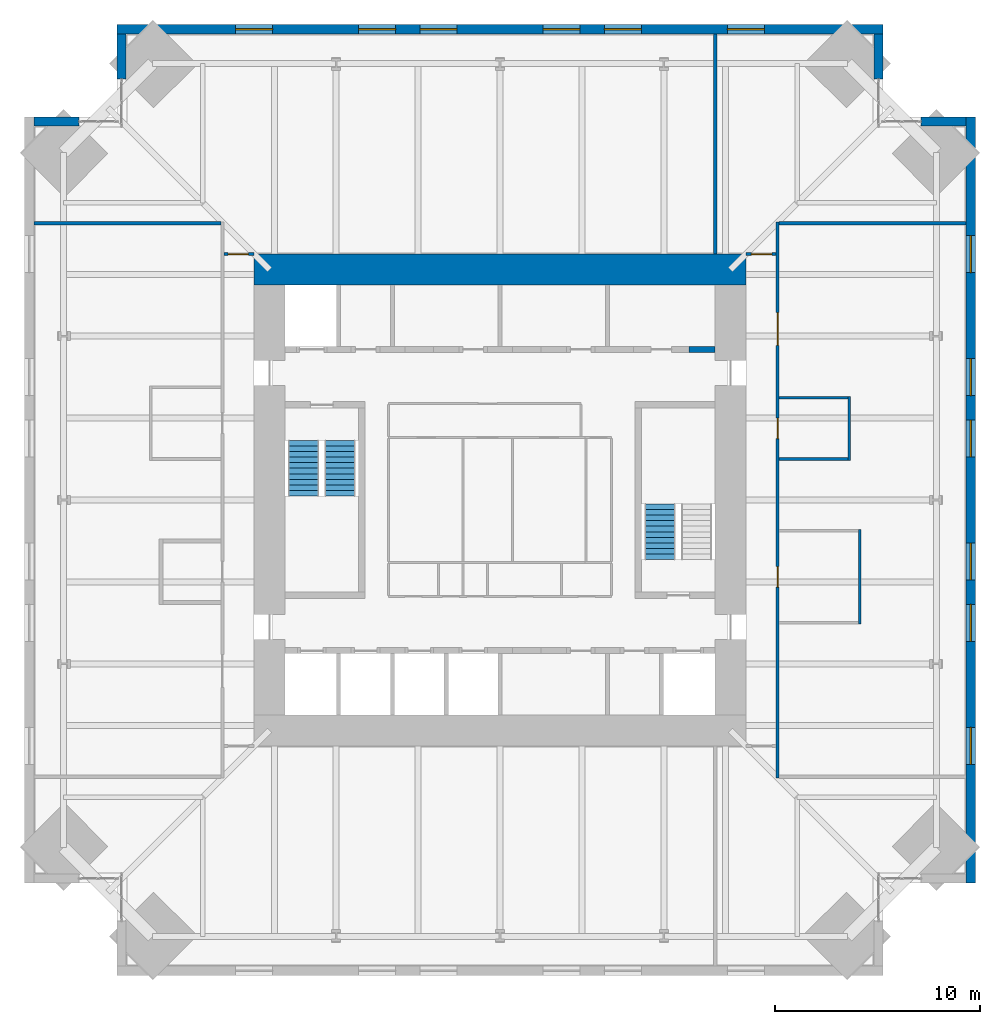
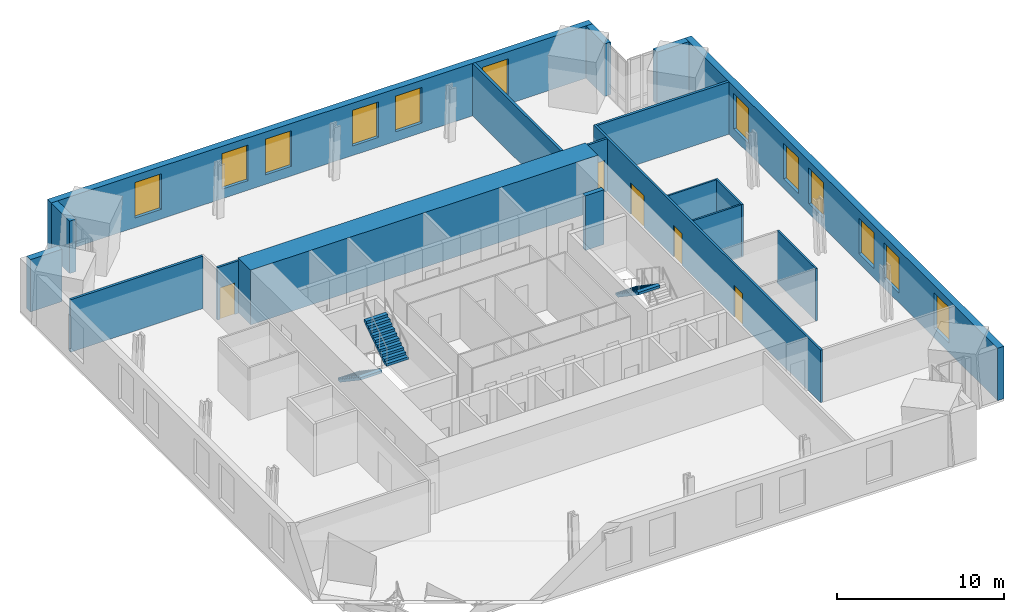
# One storey, part 13 of 15: 18 walls, 12 windows, 5 doors, 3 stair flights, 17 openings, 2 elements without a shape of their own.
"""IFC4 building model written with IfcOpenShell, lengths in metres."""

import ifcopenshell
import ifcopenshell.guid

model = None  # the IFC model being written
_history = None  # IfcOwnerHistory: only IFC2X3 demands one
_inside = {}  # id of a spatial element -> (the spatial element, [elements in it])
_under = {}  # id of a project, library or spatial element -> (it, [spatial elements below it])
_declared = {}  # id of a project -> (the project, [libraries it declares])
_typed = {}  # id of a type object -> (the type object, [elements of that type])
_made_of = {}  # id of a material, layer set ... -> (it, [elements and type objects made of it])


def new_model(schema):
    """Start an empty IFC model of exactly this schema.

    Asked for "IFC4X3", IfcOpenShell would pick the latest addendum, in which some entities
    have other attributes; the version numbers below select the first issue.
    IFC2X3 requires an IfcOwnerHistory on every rooted entity: one is made here for all.
    """
    global model, _history
    if schema == "IFC4X3":
        model = ifcopenshell.file(schema_version=(4, 3, 0, 0))
    else:
        model = ifcopenshell.file(schema=schema)
    _inside.clear()
    _under.clear()
    _declared.clear()
    _typed.clear()
    _made_of.clear()
    _history = None
    if model.schema == "IFC2X3":
        org = make("IfcOrganization", Name="unknown")
        user = make(
            "IfcPersonAndOrganization",
            ThePerson=make("IfcPerson", FamilyName="unknown"),
            TheOrganization=org,
        )
        app = make(
            "IfcApplication",
            ApplicationDeveloper=org,
            Version="unknown",
            ApplicationFullName="unknown",
            ApplicationIdentifier="unknown",
        )
        _history = make(
            "IfcOwnerHistory",
            OwningUser=user,
            OwningApplication=app,
            ChangeAction="ADDED",
            CreationDate=0,
        )
    return model


def make(cls, **values):
    """One entity of the class cls with the attributes given. An attribute that is None is left unset."""
    return model.create_entity(
        cls, **{name: value for name, value in values.items() if value is not None}
    )


def rooted(cls, **values):
    """An entity with a GlobalId (a new one), such as an element, a storey or a relation."""
    return make(cls, GlobalId=ifcopenshell.guid.new(), OwnerHistory=_history, **values)


def si_unit(unit_type, name, prefix=None):
    """IfcSIUnit, for example si_unit("LENGTHUNIT", "METRE", prefix="MILLI")."""
    return make("IfcSIUnit", UnitType=unit_type, Prefix=prefix, Name=name)


def assignment(units):
    """IfcUnitAssignment: the units of a project."""
    return None if units is None else make("IfcUnitAssignment", Units=units)


def point(xyz):
    """IfcCartesianPoint."""
    return None if xyz is None else make("IfcCartesianPoint", Coordinates=xyz)


def direction(xyz):
    """IfcDirection."""
    return None if xyz is None else make("IfcDirection", DirectionRatios=xyz)


def frame(location, z_axis=None, x_axis=None):
    """IfcAxis2Placement3D, a coordinate frame: its origin and axes. An axis left out is left unset."""
    return make(
        "IfcAxis2Placement3D",
        Location=point(location),
        Axis=direction(z_axis),
        RefDirection=direction(x_axis),
    )


def frame_2d(location, x_axis=None):
    """IfcAxis2Placement2D, a coordinate frame in the plane: its origin and x axis."""
    return make(
        "IfcAxis2Placement2D", Location=point(location), RefDirection=direction(x_axis)
    )


def origin():
    """The frame at (0, 0, 0) with its axes left unset."""
    return frame((0.0, 0.0, 0.0))


def place(relative_to, where):
    """IfcLocalPlacement: puts the frame where relative to a parent placement (None: the world)."""
    return make(
        "IfcLocalPlacement", PlacementRelTo=relative_to, RelativePlacement=where
    )


def context(
    kind, dimensions, precision=None, world=None, true_north=None, identifier=None
):
    """IfcGeometricRepresentationContext, for example the 3D "Model" context."""
    return make(
        "IfcGeometricRepresentationContext",
        ContextIdentifier=identifier,
        ContextType=kind,
        CoordinateSpaceDimension=dimensions,
        Precision=precision,
        WorldCoordinateSystem=world,
        TrueNorth=true_north,
    )


def subcontext(parent, identifier, kind, view, scale=None):
    """IfcGeometricRepresentationSubContext, for example "Body" below "Model"."""
    return make(
        "IfcGeometricRepresentationSubContext",
        ContextIdentifier=identifier,
        ContextType=kind,
        ParentContext=parent,
        TargetScale=scale,
        TargetView=view,
    )


def project(units=None, contexts=None):
    """IfcProject with its units and contexts."""
    return rooted(
        "IfcProject",
        Name="project",
        RepresentationContexts=contexts,
        UnitsInContext=assignment(units),
    )


def spatial(cls, under=None, at=None, **own):
    """A site, building, storey or space (cls), placed at a placement, below another one or the project."""
    s = rooted(cls, ObjectPlacement=at, **own)
    if under is not None:
        _under.setdefault(under.id(), (under, []))[1].append(s)
    return s


def polyline(points):
    """IfcPolyline through the points."""
    return make("IfcPolyline", Points=[point(p) for p in points])


def profile(cls, at=None, kind="AREA", **sizes):
    """A parametric profile (cls). Its sizes go by their IFC names, for example OverallWidth=200.0."""
    return make(cls, ProfileType=kind, Position=at, **sizes)


def rectangle(**sizes):
    """IfcRectangleProfileDef."""
    return profile("IfcRectangleProfileDef", **sizes)


def outline(outer, holes=None, kind="AREA"):
    """IfcArbitraryClosedProfileDef: a profile drawn as a closed curve; with holes, ...WithVoids."""
    if holes is None:
        return make("IfcArbitraryClosedProfileDef", ProfileType=kind, OuterCurve=outer)
    return make(
        "IfcArbitraryProfileDefWithVoids",
        ProfileType=kind,
        OuterCurve=outer,
        InnerCurves=holes,
    )


def extrude(swept, where, along, depth):
    """IfcExtrudedAreaSolid: the profile swept, set in the frame where, extruded along a direction by depth."""
    return make(
        "IfcExtrudedAreaSolid",
        SweptArea=swept,
        Position=where,
        ExtrudedDirection=direction(along),
        Depth=depth,
    )


def shape(context_of_items, identifier, shape_type, items):
    """IfcShapeRepresentation: the items that make up one representation, for example the "Body"."""
    return make(
        "IfcShapeRepresentation",
        ContextOfItems=context_of_items,
        RepresentationIdentifier=identifier,
        RepresentationType=shape_type,
        Items=items,
    )


def material(Name=None, Category=None):
    """IfcMaterial."""
    return make("IfcMaterial", Name=Name, Category=Category)


def layer(
    of_material, thickness, ventilated=None, Name=None, Category=None, Priority=None
):
    """IfcMaterialLayer: one layer of a wall or slab, of a material (None: an air gap)."""
    return make(
        "IfcMaterialLayer",
        Material=of_material,
        LayerThickness=thickness,
        IsVentilated=ventilated,
        Name=Name,
        Category=Category,
        Priority=Priority,
    )


def layer_set(layers, Name=None):
    """IfcMaterialLayerSet."""
    return make("IfcMaterialLayerSet", MaterialLayers=layers, LayerSetName=Name)


def made_of(thing, what):
    """Note that an element or type object is made of a material, layer set ...; save() writes the relation."""
    if what is not None:
        _made_of.setdefault(what.id(), (what, []))[1].append(thing)
    return thing


def type_object(cls, material=None, **own):
    """A type object (cls), such as IfcWallType, which elements share."""
    return made_of(rooted(cls, **own), material)


def element(
    cls,
    number,
    at=None,
    inside=None,
    cuts=None,
    type_object=None,
    material=None,
    context=None,
    identifier="Body",
    shape_type=None,
    held_by="IfcProductDefinitionShape",
    body=None,
    shapes=None,
    **own,
):
    """One element of the class cls, such as IfcWall. Its Tag is "e" and its number.

    at: its placement. inside: the storey or other place that contains it. cuts: it is an
    opening in that element (IfcRelVoidsElement). A single representation is given by context,
    identifier, shape_type and body (its items); several are given by shapes. held_by: the class
    of the entity that holds the representations. save() writes the other relations.
    """
    e = rooted(cls, Tag="e%d" % number, ObjectPlacement=at, **own)
    if body is not None:
        shapes = [shape(context, identifier, shape_type, body)]
    if shapes is not None:
        e.Representation = make(held_by, Representations=shapes)
    if inside is not None:
        _inside.setdefault(inside.id(), (inside, []))[1].append(e)
    if cuts is not None:
        rooted(
            "IfcRelVoidsElement", RelatingBuildingElement=cuts, RelatedOpeningElement=e
        )
    if type_object is not None:
        _typed.setdefault(type_object.id(), (type_object, []))[1].append(e)
    return made_of(e, material)


def fill(opening, filler):
    """IfcRelFillsElement: the door or window that sits in an opening."""
    return rooted(
        "IfcRelFillsElement",
        RelatingOpeningElement=opening,
        RelatedBuildingElement=filler,
    )


def aggregate(whole, parts):
    """IfcRelAggregates: a whole, such as a stair, and the parts it consists of."""
    return rooted("IfcRelAggregates", RelatingObject=whole, RelatedObjects=parts)


def save(model, path):
    """Write the relations noted so far, then the file.

    IfcRelAggregates (storeys below a building ...), IfcRelContainedInSpatialStructure (elements
    in a storey), IfcRelDefinesByType, IfcRelAssociatesMaterial and IfcRelDeclares: one each for
    every whole, place, type object, material and project.
    """
    for whole, parts in _under.values():
        aggregate(whole, parts)
    for where, things in _inside.values():
        rooted(
            "IfcRelContainedInSpatialStructure",
            RelatedElements=things,
            RelatingStructure=where,
        )
    for kind, things in _typed.values():
        rooted("IfcRelDefinesByType", RelatedObjects=things, RelatingType=kind)
    for what, things in _made_of.values():
        rooted("IfcRelAssociatesMaterial", RelatedObjects=things, RelatingMaterial=what)
    for by, libraries in _declared.values():
        rooted("IfcRelDeclares", RelatingContext=by, RelatedDefinitions=libraries)
    model.write(path)


model = new_model("IFC4")

# Units and contexts
model_context = context("Model", 3, precision=1e-05, world=origin(), true_north=direction((0.0, 1.0)))
body_context = subcontext(model_context, "Body", "Model", "MODEL_VIEW")
ifc_project = project(units=[si_unit("LENGTHUNIT", "METRE"), si_unit("AREAUNIT", "SQUARE_METRE"), si_unit("VOLUMEUNIT", "CUBIC_METRE"), si_unit("PLANEANGLEUNIT", "RADIAN"), si_unit("MASSUNIT", "GRAM", prefix="KILO")], contexts=[model_context])

# Site, building, storey
site_placement = place(None, origin())
site = spatial("IfcSite", under=ifc_project, at=site_placement, CompositionType="ELEMENT")
building_placement = place(site_placement, origin())
building = spatial("IfcBuilding", under=site, at=building_placement, Name="Peilmerk Tower", CompositionType="ELEMENT")
storey_placement = place(building_placement, frame((0.0, 0.0, 237.800048828125)))
storey = spatial("IfcBuildingStorey", under=building, at=storey_placement, Name="L52", CompositionType="ELEMENT", Elevation=237.800048828125)

# Wall, openings, windows
ifc_material_1 = material(Name="Precast concrete C45/55, board-marked finish", Category="concrete")
ifc_layer_1 = layer(ifc_material_1, 0.449951171875)
ifc_layer_set_1 = layer_set([ifc_layer_1], Name="Precast concrete C45/55, board-marked finish")
wall_type_1 = type_object("IfcWallType", Name="EW1 450 precast concrete facade wall, board-marked", PredefinedType="SOLIDWALL", material=ifc_layer_set_1)
wall_1_placement = place(storey_placement, frame((18.699951171875, 22.97509765625, 0.0), z_axis=(0.0, 0.0, 1.0), x_axis=(-1.0, 0.0, 0.0)))
wall_1 = element("IfcWall", 1, at=wall_1_placement, inside=storey, type_object=wall_type_1, Name="Facade wall N L52", PredefinedType="SOLIDWALL", context=body_context, shape_type="SweptSolid", body=[
    extrude(rectangle(XDim=37.39990234375, YDim=0.449951171875, at=frame_2d((18.699951171875, 0.0))), origin(), (0.0, 0.0, 1.0), 3.829833984375),
])
opening_1_placement = place(wall_1_placement, frame((5.800048828125, 0.0, 0.699951171875)))
opening_1 = element("IfcOpeningElement", 2, at=opening_1_placement, cuts=wall_1, Name="Opening W1", PredefinedType="OPENING", context=body_context, shape_type="SweptSolid", body=[
    extrude(rectangle(XDim=1.800048828125, YDim=2.60009765625, at=frame_2d((0.89990234375, 1.300048828125))), frame((0.0, 0.23486328125, 0.0), z_axis=(0.0, -1.0, 0.0), x_axis=(1.0, 0.0, 0.0)), (0.0, 0.0, 1.0), 0.469970703125),
])
opening_2_placement = place(wall_1_placement, frame((11.800048828125, 0.0, 0.699951171875)))
opening_2 = element("IfcOpeningElement", 3, at=opening_2_placement, cuts=wall_1, Name="Opening W1", PredefinedType="OPENING", context=body_context, shape_type="SweptSolid", body=[
    extrude(rectangle(XDim=1.800048828125, YDim=2.60009765625, at=frame_2d((0.89990234375, 1.300048828125))), frame((0.0, 0.23486328125, 0.0), z_axis=(0.0, -1.0, 0.0), x_axis=(1.0, 0.0, 0.0)), (0.0, 0.0, 1.0), 0.469970703125),
])
opening_3_placement = place(wall_1_placement, frame((14.800048828125, 0.0, 0.699951171875)))
opening_3 = element("IfcOpeningElement", 4, at=opening_3_placement, cuts=wall_1, Name="Opening W1", PredefinedType="OPENING", context=body_context, shape_type="SweptSolid", body=[
    extrude(rectangle(XDim=1.800048828125, YDim=2.60009765625, at=frame_2d((0.89990234375, 1.300048828125))), frame((0.0, 0.23486328125, 0.0), z_axis=(0.0, -1.0, 0.0), x_axis=(1.0, 0.0, 0.0)), (0.0, 0.0, 1.0), 0.469970703125),
])
opening_4_placement = place(wall_1_placement, frame((20.800048828125, 0.0, 0.699951171875)))
opening_4 = element("IfcOpeningElement", 5, at=opening_4_placement, cuts=wall_1, Name="Opening W1", PredefinedType="OPENING", context=body_context, shape_type="SweptSolid", body=[
    extrude(rectangle(XDim=1.800048828125, YDim=2.60009765625, at=frame_2d((0.89990234375, 1.300048828125))), frame((0.0, 0.23486328125, 0.0), z_axis=(0.0, -1.0, 0.0), x_axis=(1.0, 0.0, 0.0)), (0.0, 0.0, 1.0), 0.469970703125),
])
opening_5_placement = place(wall_1_placement, frame((23.800048828125, 0.0, 0.699951171875)))
opening_5 = element("IfcOpeningElement", 6, at=opening_5_placement, cuts=wall_1, Name="Opening W1", PredefinedType="OPENING", context=body_context, shape_type="SweptSolid", body=[
    extrude(rectangle(XDim=1.800048828125, YDim=2.60009765625, at=frame_2d((0.89990234375, 1.300048828125))), frame((0.0, 0.23486328125, 0.0), z_axis=(0.0, -1.0, 0.0), x_axis=(1.0, 0.0, 0.0)), (0.0, 0.0, 1.0), 0.469970703125),
])
opening_6_placement = place(wall_1_placement, frame((29.800048828125, 0.0, 0.699951171875)))
opening_6 = element("IfcOpeningElement", 7, at=opening_6_placement, cuts=wall_1, Name="Opening W1", PredefinedType="OPENING", context=body_context, shape_type="SweptSolid", body=[
    extrude(rectangle(XDim=1.800048828125, YDim=2.60009765625, at=frame_2d((0.89990234375, 1.300048828125))), frame((0.0, 0.23486328125, 0.0), z_axis=(0.0, -1.0, 0.0), x_axis=(1.0, 0.0, 0.0)), (0.0, 0.0, 1.0), 0.469970703125),
])
ifc_material_2 = material(Name="Aluminium frame, clear double glazing", Category="aluminium")
window_type = type_object("IfcWindowType", Name="W1 1800x2600 office window", PartitioningType="SINGLE_PANEL", PredefinedType="WINDOW", material=ifc_material_2)
window_1_placement = place(opening_1_placement, origin())
window_1 = element("IfcWindow", 8, at=window_1_placement, inside=storey, type_object=window_type, Name="Window W1 L52", OverallHeight=2.60009765625, OverallWidth=1.800048828125, PartitioningType="SINGLE_PANEL", PredefinedType="WINDOW", context=body_context, shape_type="SweptSolid", body=[
    extrude(rectangle(XDim=1.800048828125, YDim=2.60009765625, at=frame_2d((0.89990234375, 1.300048828125))), frame((0.0, 0.030029296875, 0.0), z_axis=(0.0, -1.0, 0.0), x_axis=(1.0, 0.0, 0.0)), (0.0, 0.0, 1.0), 0.06005859375),
])
fill(opening_1, window_1)
window_2_placement = place(opening_2_placement, origin())
window_2 = element("IfcWindow", 9, at=window_2_placement, inside=storey, type_object=window_type, Name="Window W1 L52", OverallHeight=2.60009765625, OverallWidth=1.800048828125, PartitioningType="SINGLE_PANEL", PredefinedType="WINDOW", context=body_context, shape_type="SweptSolid", body=[
    extrude(rectangle(XDim=1.800048828125, YDim=2.60009765625, at=frame_2d((0.89990234375, 1.300048828125))), frame((0.0, 0.030029296875, 0.0), z_axis=(0.0, -1.0, 0.0), x_axis=(1.0, 0.0, 0.0)), (0.0, 0.0, 1.0), 0.06005859375),
])
fill(opening_2, window_2)
window_3_placement = place(opening_3_placement, origin())
window_3 = element("IfcWindow", 10, at=window_3_placement, inside=storey, type_object=window_type, Name="Window W1 L52", OverallHeight=2.60009765625, OverallWidth=1.800048828125, PartitioningType="SINGLE_PANEL", PredefinedType="WINDOW", context=body_context, shape_type="SweptSolid", body=[
    extrude(rectangle(XDim=1.800048828125, YDim=2.60009765625, at=frame_2d((0.89990234375, 1.300048828125))), frame((0.0, 0.030029296875, 0.0), z_axis=(0.0, -1.0, 0.0), x_axis=(1.0, 0.0, 0.0)), (0.0, 0.0, 1.0), 0.06005859375),
])
fill(opening_3, window_3)
window_4_placement = place(opening_4_placement, origin())
window_4 = element("IfcWindow", 11, at=window_4_placement, inside=storey, type_object=window_type, Name="Window W1 L52", OverallHeight=2.60009765625, OverallWidth=1.800048828125, PartitioningType="SINGLE_PANEL", PredefinedType="WINDOW", context=body_context, shape_type="SweptSolid", body=[
    extrude(rectangle(XDim=1.800048828125, YDim=2.60009765625, at=frame_2d((0.89990234375, 1.300048828125))), frame((0.0, 0.030029296875, 0.0), z_axis=(0.0, -1.0, 0.0), x_axis=(1.0, 0.0, 0.0)), (0.0, 0.0, 1.0), 0.06005859375),
])
fill(opening_4, window_4)
window_5_placement = place(opening_5_placement, origin())
window_5 = element("IfcWindow", 12, at=window_5_placement, inside=storey, type_object=window_type, Name="Window W1 L52", OverallHeight=2.60009765625, OverallWidth=1.800048828125, PartitioningType="SINGLE_PANEL", PredefinedType="WINDOW", context=body_context, shape_type="SweptSolid", body=[
    extrude(rectangle(XDim=1.800048828125, YDim=2.60009765625, at=frame_2d((0.89990234375, 1.300048828125))), frame((0.0, 0.030029296875, 0.0), z_axis=(0.0, -1.0, 0.0), x_axis=(1.0, 0.0, 0.0)), (0.0, 0.0, 1.0), 0.06005859375),
])
fill(opening_5, window_5)
window_6_placement = place(opening_6_placement, origin())
window_6 = element("IfcWindow", 13, at=window_6_placement, inside=storey, type_object=window_type, Name="Window W1 L52", OverallHeight=2.60009765625, OverallWidth=1.800048828125, PartitioningType="SINGLE_PANEL", PredefinedType="WINDOW", context=body_context, shape_type="SweptSolid", body=[
    extrude(rectangle(XDim=1.800048828125, YDim=2.60009765625, at=frame_2d((0.89990234375, 1.300048828125))), frame((0.0, 0.030029296875, 0.0), z_axis=(0.0, -1.0, 0.0), x_axis=(1.0, 0.0, 0.0)), (0.0, 0.0, 1.0), 0.06005859375),
])
fill(opening_6, window_6)

wall_2_placement = place(storey_placement, frame((22.97509765625, -18.699951171875, 0.0), z_axis=(0.0, 0.0, 1.0), x_axis=(0.0, 1.0, 0.0)))
wall_2 = element("IfcWall", 14, at=wall_2_placement, inside=storey, type_object=wall_type_1, Name="Facade wall E L52", PredefinedType="SOLIDWALL", context=body_context, shape_type="SweptSolid", body=[
    extrude(rectangle(XDim=37.39990234375, YDim=0.449951171875, at=frame_2d((18.699951171875, 0.0))), origin(), (0.0, 0.0, 1.0), 3.829833984375),
])
opening_7_placement = place(wall_2_placement, frame((5.800048828125, 0.0, 0.699951171875)))
opening_7 = element("IfcOpeningElement", 15, at=opening_7_placement, cuts=wall_2, Name="Opening W1", PredefinedType="OPENING", context=body_context, shape_type="SweptSolid", body=[
    extrude(rectangle(XDim=1.800048828125, YDim=2.60009765625, at=frame_2d((0.89990234375, 1.300048828125))), frame((0.0, 0.23486328125, 0.0), z_axis=(0.0, -1.0, 0.0), x_axis=(1.0, 0.0, 0.0)), (0.0, 0.0, 1.0), 0.469970703125),
])
opening_8_placement = place(wall_2_placement, frame((11.800048828125, 0.0, 0.699951171875)))
opening_8 = element("IfcOpeningElement", 16, at=opening_8_placement, cuts=wall_2, Name="Opening W1", PredefinedType="OPENING", context=body_context, shape_type="SweptSolid", body=[
    extrude(rectangle(XDim=1.800048828125, YDim=2.60009765625, at=frame_2d((0.89990234375, 1.300048828125))), frame((0.0, 0.23486328125, 0.0), z_axis=(0.0, -1.0, 0.0), x_axis=(1.0, 0.0, 0.0)), (0.0, 0.0, 1.0), 0.469970703125),
])
opening_9_placement = place(wall_2_placement, frame((14.800048828125, 0.0, 0.699951171875)))
opening_9 = element("IfcOpeningElement", 17, at=opening_9_placement, cuts=wall_2, Name="Opening W1", PredefinedType="OPENING", context=body_context, shape_type="SweptSolid", body=[
    extrude(rectangle(XDim=1.800048828125, YDim=2.60009765625, at=frame_2d((0.89990234375, 1.300048828125))), frame((0.0, 0.23486328125, 0.0), z_axis=(0.0, -1.0, 0.0), x_axis=(1.0, 0.0, 0.0)), (0.0, 0.0, 1.0), 0.469970703125),
])
opening_10_placement = place(wall_2_placement, frame((20.800048828125, 0.0, 0.699951171875)))
opening_10 = element("IfcOpeningElement", 18, at=opening_10_placement, cuts=wall_2, Name="Opening W1", PredefinedType="OPENING", context=body_context, shape_type="SweptSolid", body=[
    extrude(rectangle(XDim=1.800048828125, YDim=2.60009765625, at=frame_2d((0.89990234375, 1.300048828125))), frame((0.0, 0.23486328125, 0.0), z_axis=(0.0, -1.0, 0.0), x_axis=(1.0, 0.0, 0.0)), (0.0, 0.0, 1.0), 0.469970703125),
])
opening_11_placement = place(wall_2_placement, frame((23.800048828125, 0.0, 0.699951171875)))
opening_11 = element("IfcOpeningElement", 19, at=opening_11_placement, cuts=wall_2, Name="Opening W1", PredefinedType="OPENING", context=body_context, shape_type="SweptSolid", body=[
    extrude(rectangle(XDim=1.800048828125, YDim=2.60009765625, at=frame_2d((0.89990234375, 1.300048828125))), frame((0.0, 0.23486328125, 0.0), z_axis=(0.0, -1.0, 0.0), x_axis=(1.0, 0.0, 0.0)), (0.0, 0.0, 1.0), 0.469970703125),
])
opening_12_placement = place(wall_2_placement, frame((29.800048828125, 0.0, 0.699951171875)))
opening_12 = element("IfcOpeningElement", 20, at=opening_12_placement, cuts=wall_2, Name="Opening W1", PredefinedType="OPENING", context=body_context, shape_type="SweptSolid", body=[
    extrude(rectangle(XDim=1.800048828125, YDim=2.60009765625, at=frame_2d((0.89990234375, 1.300048828125))), frame((0.0, 0.23486328125, 0.0), z_axis=(0.0, -1.0, 0.0), x_axis=(1.0, 0.0, 0.0)), (0.0, 0.0, 1.0), 0.469970703125),
])
window_7_placement = place(opening_7_placement, origin())
window_7 = element("IfcWindow", 21, at=window_7_placement, inside=storey, type_object=window_type, Name="Window W1 L52", OverallHeight=2.60009765625, OverallWidth=1.800048828125, PartitioningType="SINGLE_PANEL", PredefinedType="WINDOW", context=body_context, shape_type="SweptSolid", body=[
    extrude(rectangle(XDim=1.800048828125, YDim=2.60009765625, at=frame_2d((0.89990234375, 1.300048828125))), frame((0.0, 0.030029296875, 0.0), z_axis=(0.0, -1.0, 0.0), x_axis=(1.0, 0.0, 0.0)), (0.0, 0.0, 1.0), 0.06005859375),
])
fill(opening_7, window_7)
window_8_placement = place(opening_8_placement, origin())
window_8 = element("IfcWindow", 22, at=window_8_placement, inside=storey, type_object=window_type, Name="Window W1 L52", OverallHeight=2.60009765625, OverallWidth=1.800048828125, PartitioningType="SINGLE_PANEL", PredefinedType="WINDOW", context=body_context, shape_type="SweptSolid", body=[
    extrude(rectangle(XDim=1.800048828125, YDim=2.60009765625, at=frame_2d((0.89990234375, 1.300048828125))), frame((0.0, 0.030029296875, 0.0), z_axis=(0.0, -1.0, 0.0), x_axis=(1.0, 0.0, 0.0)), (0.0, 0.0, 1.0), 0.06005859375),
])
fill(opening_8, window_8)
window_9_placement = place(opening_9_placement, origin())
window_9 = element("IfcWindow", 23, at=window_9_placement, inside=storey, type_object=window_type, Name="Window W1 L52", OverallHeight=2.60009765625, OverallWidth=1.800048828125, PartitioningType="SINGLE_PANEL", PredefinedType="WINDOW", context=body_context, shape_type="SweptSolid", body=[
    extrude(rectangle(XDim=1.800048828125, YDim=2.60009765625, at=frame_2d((0.89990234375, 1.300048828125))), frame((0.0, 0.030029296875, 0.0), z_axis=(0.0, -1.0, 0.0), x_axis=(1.0, 0.0, 0.0)), (0.0, 0.0, 1.0), 0.06005859375),
])
fill(opening_9, window_9)
window_10_placement = place(opening_10_placement, origin())
window_10 = element("IfcWindow", 24, at=window_10_placement, inside=storey, type_object=window_type, Name="Window W1 L52", OverallHeight=2.60009765625, OverallWidth=1.800048828125, PartitioningType="SINGLE_PANEL", PredefinedType="WINDOW", context=body_context, shape_type="SweptSolid", body=[
    extrude(rectangle(XDim=1.800048828125, YDim=2.60009765625, at=frame_2d((0.89990234375, 1.300048828125))), frame((0.0, 0.030029296875, 0.0), z_axis=(0.0, -1.0, 0.0), x_axis=(1.0, 0.0, 0.0)), (0.0, 0.0, 1.0), 0.06005859375),
])
fill(opening_10, window_10)
window_11_placement = place(opening_11_placement, origin())
window_11 = element("IfcWindow", 25, at=window_11_placement, inside=storey, type_object=window_type, Name="Window W1 L52", OverallHeight=2.60009765625, OverallWidth=1.800048828125, PartitioningType="SINGLE_PANEL", PredefinedType="WINDOW", context=body_context, shape_type="SweptSolid", body=[
    extrude(rectangle(XDim=1.800048828125, YDim=2.60009765625, at=frame_2d((0.89990234375, 1.300048828125))), frame((0.0, 0.030029296875, 0.0), z_axis=(0.0, -1.0, 0.0), x_axis=(1.0, 0.0, 0.0)), (0.0, 0.0, 1.0), 0.06005859375),
])
fill(opening_11, window_11)
window_12_placement = place(opening_12_placement, origin())
window_12 = element("IfcWindow", 26, at=window_12_placement, inside=storey, type_object=window_type, Name="Window W1 L52", OverallHeight=2.60009765625, OverallWidth=1.800048828125, PartitioningType="SINGLE_PANEL", PredefinedType="WINDOW", context=body_context, shape_type="SweptSolid", body=[
    extrude(rectangle(XDim=1.800048828125, YDim=2.60009765625, at=frame_2d((0.89990234375, 1.300048828125))), frame((0.0, 0.030029296875, 0.0), z_axis=(0.0, -1.0, 0.0), x_axis=(1.0, 0.0, 0.0)), (0.0, 0.0, 1.0), 0.06005859375),
])
fill(opening_12, window_12)

# Walls
for number, where, z_axis, x_axis, name in (
    (27, (18.47509765625, 20.5537109375, 0.0), (0.0, 0.0, 1.0), (0.0, 1.0, 0.0), "Facade wall NEA L52"),
    (28, (20.5537109375, 18.47509765625, 0.0), (0.0, 0.0, 1.0), (1.0, 0.0, 0.0), "Facade wall NEB L52"),
    (29, (-18.47509765625, 20.5537109375, 0.0), (0.0, 0.0, 1.0), (0.0, 1.0, 0.0), "Facade wall NWA L52"),
    (30, (-20.5537109375, 18.47509765625, 0.0), (0.0, 0.0, 1.0), (-1.0, 0.0, 0.0), "Facade wall NWB L52"),
):
    element("IfcWall", number, at=place(storey_placement, frame(where, z_axis=z_axis, x_axis=x_axis)), inside=storey, type_object=wall_type_1, Name=name, PredefinedType="SOLIDWALL", context=body_context, shape_type="SweptSolid", body=[
        extrude(rectangle(XDim=2.1962890625, YDim=0.449951171875, at=frame_2d((1.09814453125, 0.0))), origin(), (0.0, 0.0, 1.0), 3.829833984375),
    ])

# Wall, openings, doors
ifc_material_3 = material(Name="Calcium silicate block", Category="masonry")
ifc_layer_2 = layer(ifc_material_3, 0.14990234375)
ifc_layer_set_2 = layer_set([ifc_layer_2], Name="Calcium silicate block")
wall_type_2 = type_object("IfcWallType", Name="IW1 150 corridor partition, EI 60", PredefinedType="PARTITIONING", material=ifc_layer_set_2)
wall_3_placement = place(storey_placement, frame((13.550048828125, -13.574951171875, 0.0), z_axis=(0.0, 0.0, 1.0), x_axis=(0.0, 1.0, 0.0)))
wall_3 = element("IfcWall", 31, at=wall_3_placement, inside=storey, type_object=wall_type_2, Name="Corridor wall E L52", PredefinedType="PARTITIONING", context=body_context, shape_type="SweptSolid", body=[
    extrude(rectangle(XDim=27.14990234375, YDim=0.14990234375, at=frame_2d((13.574951171875, 0.0))), origin(), (0.0, 0.0, 1.0), 3.829833984375),
])
opening_13_placement = place(wall_3_placement, frame((21.125, 0.0, 0.0)))
opening_13 = element("IfcOpeningElement", 32, at=opening_13_placement, cuts=wall_3, Name="Opening D9", PredefinedType="OPENING", context=body_context, shape_type="SweptSolid", body=[
    extrude(rectangle(XDim=1.60009765625, YDim=2.300048828125, at=frame_2d((0.800048828125, 1.14990234375))), frame((0.0, 0.0849609375, 0.0), z_axis=(0.0, -1.0, 0.0), x_axis=(1.0, 0.0, 0.0)), (0.0, 0.0, 1.0), 0.169921875),
])
opening_14_placement = place(wall_3_placement, frame((9.324951171875, 0.0, 0.0)))
opening_14 = element("IfcOpeningElement", 33, at=opening_14_placement, cuts=wall_3, Name="Opening D1", PredefinedType="OPENING", context=body_context, shape_type="SweptSolid", body=[
    extrude(rectangle(XDim=1.0, YDim=2.300048828125, at=frame_2d((0.5, 1.14990234375))), frame((0.0, 0.0849609375, 0.0), z_axis=(0.0, -1.0, 0.0), x_axis=(1.0, 0.0, 0.0)), (0.0, 0.0, 1.0), 0.169921875),
])
opening_15_placement = place(wall_3_placement, frame((16.574951171875, 0.0, 0.0)))
opening_15 = element("IfcOpeningElement", 34, at=opening_15_placement, cuts=wall_3, Name="Opening D1", PredefinedType="OPENING", context=body_context, shape_type="SweptSolid", body=[
    extrude(rectangle(XDim=1.0, YDim=2.300048828125, at=frame_2d((0.5, 1.14990234375))), frame((0.0, 0.0849609375, 0.0), z_axis=(0.0, -1.0, 0.0), x_axis=(1.0, 0.0, 0.0)), (0.0, 0.0, 1.0), 0.169921875),
])
ifc_material_4 = material(Name="Timber door in steel frame", Category="steel")
door_type_1 = type_object("IfcDoorType", Name="D1 1000x2300 room door, EI2 30", OperationType="SINGLE_SWING_LEFT", PredefinedType="DOOR", material=ifc_material_4)
door_1_placement = place(opening_14_placement, frame((1.0, 0.0, 0.0), z_axis=(0.0, 0.0, 1.0), x_axis=(-1.0, 0.0, 0.0)))
door_1 = element("IfcDoor", 35, at=door_1_placement, inside=storey, type_object=door_type_1, Name="Door Meeting room L52", OperationType="SINGLE_SWING_LEFT", OverallHeight=2.300048828125, OverallWidth=1.0, PredefinedType="DOOR", context=body_context, shape_type="SweptSolid", body=[
    extrude(rectangle(XDim=1.0, YDim=2.300048828125, at=frame_2d((0.5, 1.14990234375))), frame((0.0, 0.02490234375, 0.0), z_axis=(0.0, -1.0, 0.0), x_axis=(1.0, 0.0, 0.0)), (0.0, 0.0, 1.0), 0.050048828125),
])
fill(opening_14, door_1)
door_2_placement = place(opening_15_placement, frame((1.0, 0.0, 0.0), z_axis=(0.0, 0.0, 1.0), x_axis=(-1.0, 0.0, 0.0)))
door_2 = element("IfcDoor", 36, at=door_2_placement, inside=storey, type_object=door_type_1, Name="Door Focus room L52", OperationType="SINGLE_SWING_LEFT", OverallHeight=2.300048828125, OverallWidth=1.0, PredefinedType="DOOR", context=body_context, shape_type="SweptSolid", body=[
    extrude(rectangle(XDim=1.0, YDim=2.300048828125, at=frame_2d((0.5, 1.14990234375))), frame((0.0, 0.02490234375, 0.0), z_axis=(0.0, -1.0, 0.0), x_axis=(1.0, 0.0, 0.0)), (0.0, 0.0, 1.0), 0.050048828125),
])
fill(opening_15, door_2)
ifc_material_5 = material(Name="Glazed timber door in steel frame", Category="steel")
door_type_2 = type_object("IfcDoorType", Name="D9 1600x2300 glazed double door, EI2 30", OperationType="DOUBLE_DOOR_SINGLE_SWING", PredefinedType="DOOR", material=ifc_material_5)
door_3_placement = place(opening_13_placement, frame((1.60009765625, 0.0, 0.0), z_axis=(0.0, 0.0, 1.0), x_axis=(-1.0, 0.0, 0.0)))
door_3 = element("IfcDoor", 37, at=door_3_placement, inside=storey, type_object=door_type_2, Name="Door Open workspace L52", OperationType="DOUBLE_DOOR_SINGLE_SWING", OverallHeight=2.300048828125, OverallWidth=1.60009765625, PredefinedType="DOOR", context=body_context, shape_type="SweptSolid", body=[
    extrude(rectangle(XDim=1.60009765625, YDim=2.300048828125, at=frame_2d((0.800048828125, 1.14990234375))), frame((0.0, 0.02490234375, 0.0), z_axis=(0.0, -1.0, 0.0), x_axis=(1.0, 0.0, 0.0)), (0.0, 0.0, 1.0), 0.050048828125),
])
fill(opening_13, door_3)

# Wall, opening, door
wall_4_placement = place(storey_placement, frame((12.0, 12.0, 0.0), z_axis=(0.0, 0.0, 1.0), x_axis=(1.0, 0.0, 0.0)))
wall_4 = element("IfcWall", 38, at=wall_4_placement, inside=storey, type_object=wall_type_2, Name="Corridor wall NE L52", PredefinedType="PARTITIONING", context=body_context, shape_type="SweptSolid", body=[
    extrude(rectangle(XDim=1.47509765625, YDim=0.14990234375, at=frame_2d((0.737548828125, 0.0))), origin(), (0.0, 0.0, 1.0), 3.829833984375),
])
opening_16_placement = place(wall_4_placement, frame((0.27490234375, 0.0, 0.0)))
opening_16 = element("IfcOpeningElement", 39, at=opening_16_placement, cuts=wall_4, Name="Opening D1", PredefinedType="OPENING", context=body_context, shape_type="SweptSolid", body=[
    extrude(rectangle(XDim=1.0, YDim=2.300048828125, at=frame_2d((0.5, 1.14990234375))), frame((0.0, 0.0849609375, 0.0), z_axis=(0.0, -1.0, 0.0), x_axis=(1.0, 0.0, 0.0)), (0.0, 0.0, 1.0), 0.169921875),
])
door_4_placement = place(opening_16_placement, origin())
door_4 = element("IfcDoor", 40, at=door_4_placement, inside=storey, type_object=door_type_1, Name="Door Open workspace L52", OperationType="SINGLE_SWING_LEFT", OverallHeight=2.300048828125, OverallWidth=1.0, PredefinedType="DOOR", context=body_context, shape_type="SweptSolid", body=[
    extrude(rectangle(XDim=1.0, YDim=2.300048828125, at=frame_2d((0.5, 1.14990234375))), frame((0.0, 0.02490234375, 0.0), z_axis=(0.0, -1.0, 0.0), x_axis=(1.0, 0.0, 0.0)), (0.0, 0.0, 1.0), 0.050048828125),
])
fill(opening_16, door_4)

wall_5_placement = place(storey_placement, frame((-13.47509765625, 12.0, 0.0), z_axis=(0.0, 0.0, 1.0), x_axis=(1.0, 0.0, 0.0)))
wall_5 = element("IfcWall", 41, at=wall_5_placement, inside=storey, type_object=wall_type_2, Name="Corridor wall NW L52", PredefinedType="PARTITIONING", context=body_context, shape_type="SweptSolid", body=[
    extrude(rectangle(XDim=1.47509765625, YDim=0.14990234375, at=frame_2d((0.737548828125, 0.0))), origin(), (0.0, 0.0, 1.0), 3.829833984375),
])
opening_17_placement = place(wall_5_placement, frame((0.199951171875, 0.0, 0.0)))
opening_17 = element("IfcOpeningElement", 42, at=opening_17_placement, cuts=wall_5, Name="Opening D1", PredefinedType="OPENING", context=body_context, shape_type="SweptSolid", body=[
    extrude(rectangle(XDim=1.0, YDim=2.300048828125, at=frame_2d((0.5, 1.14990234375))), frame((0.0, 0.0849609375, 0.0), z_axis=(0.0, -1.0, 0.0), x_axis=(1.0, 0.0, 0.0)), (0.0, 0.0, 1.0), 0.169921875),
])
door_5_placement = place(opening_17_placement, origin())
door_5 = element("IfcDoor", 43, at=door_5_placement, inside=storey, type_object=door_type_1, Name="Door Project room L52", OperationType="SINGLE_SWING_LEFT", OverallHeight=2.300048828125, OverallWidth=1.0, PredefinedType="DOOR", context=body_context, shape_type="SweptSolid", body=[
    extrude(rectangle(XDim=1.0, YDim=2.300048828125, at=frame_2d((0.5, 1.14990234375))), frame((0.0, 0.02490234375, 0.0), z_axis=(0.0, -1.0, 0.0), x_axis=(1.0, 0.0, 0.0)), (0.0, 0.0, 1.0), 0.050048828125),
])
fill(opening_17, door_5)

# Walls
ifc_material_6 = material(Name="Plasterboard on steel studs, double boarded with mineral wool", Category="steel")
ifc_layer_3 = layer(ifc_material_6, 0.125)
ifc_layer_set_3 = layer_set([ifc_layer_3], Name="Plasterboard on steel studs, double boarded with mineral wool")
wall_type_3 = type_object("IfcWallType", Name="IW7 125 acoustic partition, EI 30", PredefinedType="PARTITIONING", material=ifc_layer_set_3)
wall_6_placement = place(storey_placement, frame((17.550048828125, -6.0625, 0.0), z_axis=(0.0, 0.0, 1.0), x_axis=(0.0, 1.0, 0.0)))
element("IfcWall", 44, at=wall_6_placement, inside=storey, type_object=wall_type_3, Name="Acoustic partition Meeting room L52", PredefinedType="PARTITIONING", context=body_context, shape_type="SweptSolid", body=[
    extrude(rectangle(XDim=4.625, YDim=0.125, at=frame_2d((2.3125, 0.0))), origin(), (0.0, 0.0, 1.0), 3.829833984375),
])
wall_7_placement = place(storey_placement, frame((17.050048828125, 1.9375, 0.0), z_axis=(0.0, 0.0, 1.0), x_axis=(0.0, 1.0, 0.0)))
element("IfcWall", 45, at=wall_7_placement, inside=storey, type_object=wall_type_3, Name="Acoustic partition Focus room L52", PredefinedType="PARTITIONING", context=body_context, shape_type="SweptSolid", body=[
    extrude(rectangle(XDim=3.125, YDim=0.125, at=frame_2d((1.5625, 0.0))), origin(), (0.0, 0.0, 1.0), 3.829833984375),
])
for number, where, z_axis, x_axis, name in (
    (46, (13.625, 2.0, 0.0), (0.0, 0.0, 1.0), (1.0, 0.0, 0.0), "Acoustic partition Focus room L52"),
    (47, (13.625, 5.0, 0.0), (0.0, 0.0, 1.0), (1.0, 0.0, 0.0), "Acoustic partition Focus room L52"),
):
    element("IfcWall", number, at=place(storey_placement, frame(where, z_axis=z_axis, x_axis=x_axis)), inside=storey, type_object=wall_type_3, Name=name, PredefinedType="PARTITIONING", context=body_context, shape_type="SweptSolid", body=[
        extrude(rectangle(XDim=3.362548828125, YDim=0.125, at=frame_2d((1.68115234375, 0.0))), origin(), (0.0, 0.0, 1.0), 3.829833984375),
    ])
ifc_layer_4 = layer(ifc_material_3, 0.175048828125)
ifc_layer_set_4 = layer_set([ifc_layer_4], Name="Calcium silicate block")
wall_type_4 = type_object("IfcWallType", Name="IW8 175 tenant separating wall, EI 60", PredefinedType="PARTITIONING", material=ifc_layer_set_4)
for number, where, z_axis, x_axis, name in (
    (48, (13.625, 13.5, 0.0), (0.0, 0.0, 1.0), (1.0, 0.0, 0.0), "Tenant separating wall NE L52"),
    (49, (-22.75, 13.5, 0.0), (0.0, 0.0, 1.0), (1.0, 0.0, 0.0), "Tenant separating wall NW L52"),
):
    element("IfcWall", number, at=place(storey_placement, frame(where, z_axis=z_axis, x_axis=x_axis)), inside=storey, type_object=wall_type_4, Name=name, PredefinedType="PARTITIONING", context=body_context, shape_type="SweptSolid", body=[
        extrude(rectangle(XDim=9.125, YDim=0.175048828125, at=frame_2d((4.5625, 0.0))), origin(), (0.0, 0.0, 1.0), 3.829833984375),
    ])
wall_8_placement = place(storey_placement, frame((10.5, 12.0, 0.0), z_axis=(0.0, 0.0, 1.0), x_axis=(0.0, 1.0, 0.0)))
element("IfcWall", 50, at=wall_8_placement, inside=storey, type_object=wall_type_4, Name="Tenant separating wall N1 L52", PredefinedType="PARTITIONING", context=body_context, shape_type="SweptSolid", body=[
    extrude(rectangle(XDim=10.75, YDim=0.175048828125, at=frame_2d((5.375, 0.0))), origin(), (0.0, 0.0, 1.0), 3.829833984375),
])
ifc_material_7 = material(Name="Concrete C55/67", Category="concrete")
ifc_layer_5 = layer(ifc_material_7, 1.5)
ifc_layer_set_5 = layer_set([ifc_layer_5], Name="Concrete C55/67")
wall_type_5 = type_object("IfcWallType", Name="SW1 1500 core wall", PredefinedType="SHEAR", material=ifc_layer_set_5)
wall_9_placement = place(storey_placement, frame((-12.0, 11.25, 0.0), z_axis=(0.0, 0.0, 1.0), x_axis=(1.0, 0.0, 0.0)))
element("IfcWall", 51, at=wall_9_placement, inside=storey, type_object=wall_type_5, Name="Core wall N L52", PredefinedType="SHEAR", context=body_context, shape_type="SweptSolid", body=[
    extrude(rectangle(XDim=24.0, YDim=1.5, at=frame_2d((12.0, 0.0))), origin(), (0.0, 0.0, 1.0), 4.0),
])
ifc_layer_6 = layer(ifc_material_7, 0.300048828125)
ifc_layer_set_6 = layer_set([ifc_layer_6], Name="Concrete C55/67")
wall_type_6 = type_object("IfcWallType", Name="SW2 300 lift bank pier", PredefinedType="SHEAR", material=ifc_layer_set_6)
wall_10_placement = place(storey_placement, frame((9.22509765625, 7.35009765625, 0.0), z_axis=(0.0, 0.0, 1.0), x_axis=(1.0, 0.0, 0.0)))
element("IfcWall", 52, at=wall_10_placement, inside=storey, type_object=wall_type_6, Name="Lift bank pier N L52", PredefinedType="SHEAR", context=body_context, shape_type="SweptSolid", body=[
    extrude(rectangle(XDim=1.27490234375, YDim=0.300048828125, at=frame_2d((0.637451171875, 0.0))), origin(), (0.0, 0.0, 1.0), 4.0),
])

# Stair, stair flights
ifc_material_8 = material(Name="Precast concrete C45/55", Category="concrete")
stair_type_1 = type_object("IfcStairType", Name="ST1 22 risers of 181.8", PredefinedType="HALF_TURN_STAIR", material=ifc_material_8)
stair_1_placement = place(storey_placement, origin())
stair_1 = element("IfcStair", 53, at=stair_1_placement, inside=storey, type_object=stair_type_1, Name="Stair 1 L52 to L53", PredefinedType="HALF_TURN_STAIR")
stair_flight_type = type_object("IfcStairFlightType", Name="SF11 flight, 11 risers of 181.8", PredefinedType="STRAIGHT", material=ifc_material_8)
stair_flight_1_placement = place(storey_placement, frame((-9.60009765625, 2.89990234375, 0.0), z_axis=(0.0, 0.0, 1.0), x_axis=(0.0, -1.0, 0.0)))
stair_flight_1 = element("IfcStairFlight", 54, at=stair_flight_1_placement, type_object=stair_flight_type, Name="ST1 flight 1", NumberOfRisers=11, NumberOfTreads=10, PredefinedType="STRAIGHT", RiserHeight=0.181818182, TreadLength=0.27, context=body_context, shape_type="SweptSolid", body=[
    extrude(outline(polyline([(0.0, 0.0), (0.0, 0.181884765625), (0.27001953125, 0.181884765625), (0.27001953125, 0.363525390625), (0.5400390625, 0.363525390625), (0.5400390625, 0.54541015625), (0.81005859375, 0.54541015625), (0.81005859375, 0.727294921875), (1.080078125, 0.727294921875), (1.080078125, 0.9091796875), (1.35009765625, 0.9091796875), (1.35009765625, 1.0908203125), (1.6201171875, 1.0908203125), (1.6201171875, 1.272705078125), (1.889892578125, 1.272705078125), (1.889892578125, 1.45458984375), (2.159912109375, 1.45458984375), (2.159912109375, 1.636474609375), (2.429931640625, 1.636474609375), (2.429931640625, 1.818115234375), (2.699951171875, 1.818115234375), (2.699951171875, 2.0), (2.699951171875, 1.637451171875), (0.268310546875, 0.0), (0.0, 0.0)])), frame((0.0, 0.75, 0.0), z_axis=(0.0, -1.0, 0.0), x_axis=(1.0, 0.0, 0.0)), (0.0, 0.0, 1.0), 1.5),
])
stair_flight_2_placement = place(storey_placement, frame((-7.800048828125, 0.199951171875, 2.0), z_axis=(0.0, 0.0, 1.0), x_axis=(0.0, 1.0, 0.0)))
stair_flight_2 = element("IfcStairFlight", 55, at=stair_flight_2_placement, type_object=stair_flight_type, Name="ST1 flight 2", NumberOfRisers=11, NumberOfTreads=10, PredefinedType="STRAIGHT", RiserHeight=0.181818182, TreadLength=0.27, context=body_context, shape_type="SweptSolid", body=[
    extrude(outline(polyline([(0.0, 0.0), (0.0, 0.181884765625), (0.27001953125, 0.181884765625), (0.27001953125, 0.363525390625), (0.5400390625, 0.363525390625), (0.5400390625, 0.54541015625), (0.81005859375, 0.54541015625), (0.81005859375, 0.727294921875), (1.080078125, 0.727294921875), (1.080078125, 0.9091796875), (1.35009765625, 0.9091796875), (1.35009765625, 1.0908203125), (1.6201171875, 1.0908203125), (1.6201171875, 1.272705078125), (1.889892578125, 1.272705078125), (1.889892578125, 1.45458984375), (2.159912109375, 1.45458984375), (2.159912109375, 1.636474609375), (2.429931640625, 1.636474609375), (2.429931640625, 1.818115234375), (2.699951171875, 1.818115234375), (2.699951171875, 2.0), (2.699951171875, 1.637451171875), (0.268310546875, 0.0), (0.0, 0.0)])), frame((0.0, 0.75, 0.0), z_axis=(0.0, -1.0, 0.0), x_axis=(1.0, 0.0, 0.0)), (0.0, 0.0, 1.0), 1.5),
])
aggregate(stair_1, [stair_flight_1, stair_flight_2])

# Stair, stair flight
stair_type_2 = type_object("IfcStairType", Name="ST2 22 risers of 181.8", PredefinedType="HALF_TURN_STAIR", material=ifc_material_8)
stair_2_placement = place(storey_placement, origin())
stair_2 = element("IfcStair", 56, at=stair_2_placement, inside=storey, type_object=stair_type_2, Name="Stair 2 L52 to L53", PredefinedType="HALF_TURN_STAIR")
stair_flight_3_placement = place(storey_placement, frame((7.800048828125, -0.199951171875, 2.0), z_axis=(0.0, 0.0, 1.0), x_axis=(0.0, -1.0, 0.0)))
stair_flight_3 = element("IfcStairFlight", 57, at=stair_flight_3_placement, type_object=stair_flight_type, Name="ST2 flight 2", NumberOfRisers=11, NumberOfTreads=10, PredefinedType="STRAIGHT", RiserHeight=0.181818182, TreadLength=0.27, context=body_context, shape_type="SweptSolid", body=[
    extrude(outline(polyline([(0.0, 0.0), (0.0, 0.181884765625), (0.27001953125, 0.181884765625), (0.27001953125, 0.363525390625), (0.5400390625, 0.363525390625), (0.5400390625, 0.54541015625), (0.81005859375, 0.54541015625), (0.81005859375, 0.727294921875), (1.080078125, 0.727294921875), (1.080078125, 0.9091796875), (1.35009765625, 0.9091796875), (1.35009765625, 1.0908203125), (1.6201171875, 1.0908203125), (1.6201171875, 1.272705078125), (1.889892578125, 1.272705078125), (1.889892578125, 1.45458984375), (2.159912109375, 1.45458984375), (2.159912109375, 1.636474609375), (2.429931640625, 1.636474609375), (2.429931640625, 1.818115234375), (2.699951171875, 1.818115234375), (2.699951171875, 2.0), (2.699951171875, 1.637451171875), (0.268310546875, 0.0), (0.0, 0.0)])), frame((0.0, 0.75, 0.0), z_axis=(0.0, -1.0, 0.0), x_axis=(1.0, 0.0, 0.0)), (0.0, 0.0, 1.0), 1.5),
])
aggregate(stair_2, [stair_flight_3])

save(model, "model.ifc")
